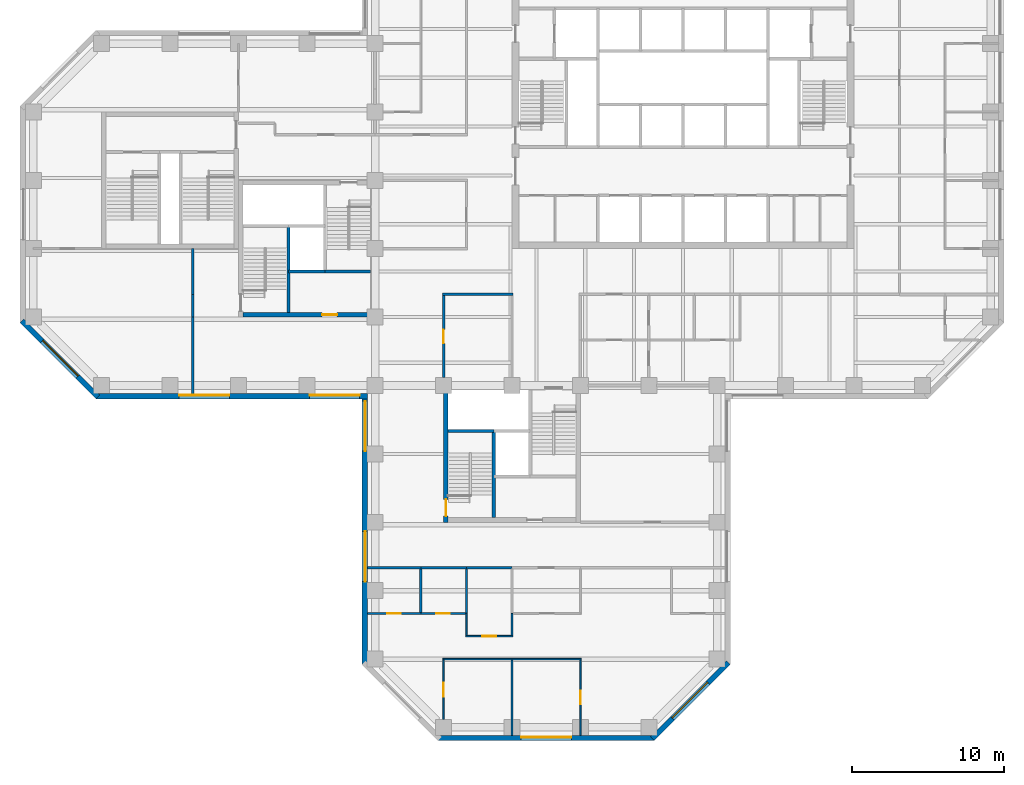
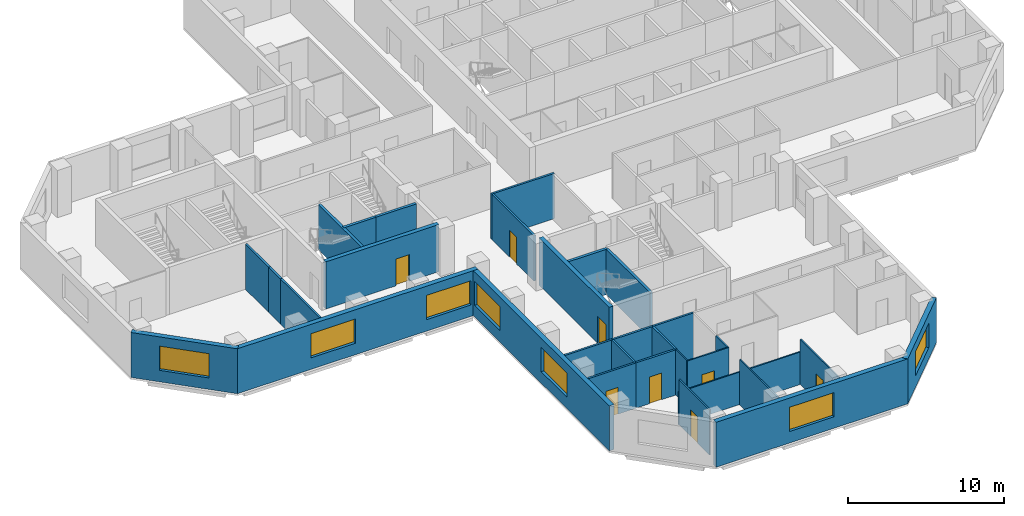
# One storey, part 3 of 10: 32 walls, 8 doors, 7 windows, 15 openings.
"""IFC4 building model written with IfcOpenShell, lengths in metres."""

from ifc_helpers import new_model, si_unit, direction, frame, frame_2d, origin, place, context, subcontext, project, spatial, rectangle, extrude, material, layer, layer_set, constituent, constituent_set, type_object, element, fill, save


model = new_model("IFC4")

# Units and contexts
model_context = context("Model", 3, precision=1e-05, world=origin(), true_north=direction((0.0, 1.0)))
body_context = subcontext(model_context, "Body", "Model", "MODEL_VIEW")
ifc_project = project(units=[si_unit("LENGTHUNIT", "METRE"), si_unit("AREAUNIT", "SQUARE_METRE"), si_unit("VOLUMEUNIT", "CUBIC_METRE"), si_unit("PLANEANGLEUNIT", "RADIAN"), si_unit("MASSUNIT", "GRAM", prefix="KILO")], contexts=[model_context])

# Site, building, storey
site_placement = place(None, origin())
site = spatial("IfcSite", under=ifc_project, at=site_placement, CompositionType="ELEMENT")
building_placement = place(site_placement, origin())
building = spatial("IfcBuilding", under=site, at=building_placement, Name="Quoin Convention Tower", CompositionType="ELEMENT")
storey_placement = place(building_placement, frame((0.0, 0.0, 86.300048828125)))
storey = spatial("IfcBuildingStorey", under=building, at=storey_placement, Name="L22", CompositionType="ELEMENT", Elevation=86.300048828125)

# Wall, opening, window
ifc_material_1 = material(Name="Brick masonry", Category="masonry")
ifc_layer_1 = layer(ifc_material_1, 0.35009765625)
ifc_layer_set_1 = layer_set([ifc_layer_1], Name="Brick masonry")
wall_type_1 = type_object("IfcWallType", Name="Brick facade wall", PredefinedType="STANDARD", material=ifc_layer_set_1)
wall_1_placement = place(storey_placement, frame((12.748779296875, 44.76123046875, 0.0), z_axis=(0.0, 0.0, 1.0), x_axis=(0.707106781187, -0.707106781187, 0.0)))
wall_1 = element("IfcWall", 1, at=wall_1_placement, inside=storey, type_object=wall_type_1, Name="fw-L22-13500_45000", PredefinedType="STANDARD", context=body_context, shape_type="SweptSolid", body=[
    extrude(rectangle(XDim=7.088623046875, YDim=0.35009765625, at=frame_2d((3.54443359375, 0.0))), origin(), (0.0, 0.0, 1.0), 3.52490234375),
])
opening_1_placement = place(wall_1_placement, frame((1.894287109375, 0.0, 0.89990234375)))
opening_1 = element("IfcOpeningElement", 2, at=opening_1_placement, cuts=wall_1, Name="Opening W-02", PredefinedType="OPENING", context=body_context, shape_type="SweptSolid", body=[
    extrude(rectangle(XDim=3.300048828125, YDim=1.89990234375, at=frame_2d((1.64990234375, 0.949951171875))), frame((0.0, 0.18505859375, 0.0), z_axis=(0.0, -1.0, 0.0), x_axis=(1.0, 0.0, 0.0)), (0.0, 0.0, 1.0), 0.3701171875),
])
ifc_material_2 = material(Name="Aluminium", Category="aluminium")
ifc_constituent_1 = constituent(ifc_material_2, Name="Frame")
ifc_material_3 = material(Name="Insulated glass", Category="glass")
ifc_constituent_2 = constituent(ifc_material_3, Name="Glazing")
ifc_constituent_set = constituent_set(constituents=[ifc_constituent_1, ifc_constituent_2], Name="Aluminium")
window_type = type_object("IfcWindowType", Name="Office window", PartitioningType="DOUBLE_PANEL_VERTICAL", PredefinedType="WINDOW", material=ifc_constituent_set)
window_1_placement = place(opening_1_placement, origin())
window_1 = element("IfcWindow", 3, at=window_1_placement, inside=storey, type_object=window_type, Name="win-L22-15255_42255", OverallHeight=1.89990234375, OverallWidth=3.300048828125, PartitioningType="SINGLE_PANEL", PredefinedType="WINDOW", context=body_context, shape_type="SweptSolid", body=[
    extrude(rectangle(XDim=3.300048828125, YDim=1.89990234375, at=frame_2d((1.64990234375, 0.949951171875))), frame((0.0, 0.0849609375, 0.0), z_axis=(0.0, -1.0, 0.0), x_axis=(1.0, 0.0, 0.0)), (0.0, 0.0, 1.0), 0.06005859375),
])
fill(opening_1, window_1)

# Wall, openings, windows
wall_2_placement = place(storey_placement, frame((17.6376953125, 39.800048828125, 0.0), z_axis=(0.0, 0.0, 1.0), x_axis=(1.0, 0.0, 0.0)))
wall_2 = element("IfcWall", 4, at=wall_2_placement, inside=storey, type_object=wall_type_1, Name="fw-L22-18000_40500", PredefinedType="STANDARD", context=body_context, shape_type="SweptSolid", body=[
    extrude(rectangle(XDim=17.83740234375, YDim=0.35009765625, at=frame_2d((8.918701171875, 0.0))), origin(), (0.0, 0.0, 1.0), 3.52490234375),
])
opening_2_placement = place(wall_2_placement, frame((5.46240234375, 0.0, 0.89990234375)))
opening_2 = element("IfcOpeningElement", 5, at=opening_2_placement, cuts=wall_2, Name="Opening W-02", PredefinedType="OPENING", context=body_context, shape_type="SweptSolid", body=[
    extrude(rectangle(XDim=3.300048828125, YDim=1.89990234375, at=frame_2d((1.64990234375, 0.949951171875))), frame((0.0, 0.18505859375, 0.0), z_axis=(0.0, -1.0, 0.0), x_axis=(1.0, 0.0, 0.0)), (0.0, 0.0, 1.0), 0.3701171875),
])
opening_3_placement = place(wall_2_placement, frame((14.037353515625, 0.0, 0.89990234375)))
opening_3 = element("IfcOpeningElement", 6, at=opening_3_placement, cuts=wall_2, Name="Opening W-02", PredefinedType="OPENING", context=body_context, shape_type="SweptSolid", body=[
    extrude(rectangle(XDim=3.300048828125, YDim=1.89990234375, at=frame_2d((1.64990234375, 0.949951171875))), frame((0.0, 0.18505859375, 0.0), z_axis=(0.0, -1.0, 0.0), x_axis=(1.0, 0.0, 0.0)), (0.0, 0.0, 1.0), 0.3701171875),
])
window_2_placement = place(opening_2_placement, origin())
window_2 = element("IfcWindow", 7, at=window_2_placement, inside=storey, type_object=window_type, Name="win-L22-24750_39800", OverallHeight=1.89990234375, OverallWidth=3.300048828125, PartitioningType="SINGLE_PANEL", PredefinedType="WINDOW", context=body_context, shape_type="SweptSolid", body=[
    extrude(rectangle(XDim=3.300048828125, YDim=1.89990234375, at=frame_2d((1.64990234375, 0.949951171875))), frame((0.0, 0.0849609375, 0.0), z_axis=(0.0, -1.0, 0.0), x_axis=(1.0, 0.0, 0.0)), (0.0, 0.0, 1.0), 0.06005859375),
])
fill(opening_2, window_2)
window_3_placement = place(opening_3_placement, origin())
window_3 = element("IfcWindow", 8, at=window_3_placement, inside=storey, type_object=window_type, Name="win-L22-33750_39800", OverallHeight=1.89990234375, OverallWidth=3.300048828125, PartitioningType="SINGLE_PANEL", PredefinedType="WINDOW", context=body_context, shape_type="SweptSolid", body=[
    extrude(rectangle(XDim=3.300048828125, YDim=1.89990234375, at=frame_2d((1.64990234375, 0.949951171875))), frame((0.0, 0.0849609375, 0.0), z_axis=(0.0, -1.0, 0.0), x_axis=(1.0, 0.0, 0.0)), (0.0, 0.0, 1.0), 0.06005859375),
])
fill(opening_3, window_3)

wall_3_placement = place(storey_placement, frame((35.300048828125, 39.97509765625, 0.0), z_axis=(0.0, 0.0, 1.0), x_axis=(0.0, -1.0, 0.0)))
wall_3 = element("IfcWall", 9, at=wall_3_placement, inside=storey, type_object=wall_type_1, Name="fw-L22-36000_40500", PredefinedType="STANDARD", context=body_context, shape_type="SweptSolid", body=[
    extrude(rectangle(XDim=17.83740234375, YDim=0.35009765625, at=frame_2d((8.918701171875, 0.0))), origin(), (0.0, 0.0, 1.0), 3.52490234375),
])
opening_4_placement = place(wall_3_placement, frame((0.5, 0.0, 0.89990234375)))
opening_4 = element("IfcOpeningElement", 10, at=opening_4_placement, cuts=wall_3, Name="Opening W-02", PredefinedType="OPENING", context=body_context, shape_type="SweptSolid", body=[
    extrude(rectangle(XDim=3.300048828125, YDim=1.89990234375, at=frame_2d((1.64990234375, 0.949951171875))), frame((0.0, 0.18505859375, 0.0), z_axis=(0.0, -1.0, 0.0), x_axis=(1.0, 0.0, 0.0)), (0.0, 0.0, 1.0), 0.3701171875),
])
opening_5_placement = place(wall_3_placement, frame((9.074951171875, 0.0, 0.89990234375)))
opening_5 = element("IfcOpeningElement", 11, at=opening_5_placement, cuts=wall_3, Name="Opening W-02", PredefinedType="OPENING", context=body_context, shape_type="SweptSolid", body=[
    extrude(rectangle(XDim=3.300048828125, YDim=1.89990234375, at=frame_2d((1.64990234375, 0.949951171875))), frame((0.0, 0.18505859375, 0.0), z_axis=(0.0, -1.0, 0.0), x_axis=(1.0, 0.0, 0.0)), (0.0, 0.0, 1.0), 0.3701171875),
])
window_4_placement = place(opening_4_placement, origin())
window_4 = element("IfcWindow", 12, at=window_4_placement, inside=storey, type_object=window_type, Name="win-L22-35300_38250", OverallHeight=1.89990234375, OverallWidth=3.300048828125, PartitioningType="SINGLE_PANEL", PredefinedType="WINDOW", context=body_context, shape_type="SweptSolid", body=[
    extrude(rectangle(XDim=3.300048828125, YDim=1.89990234375, at=frame_2d((1.64990234375, 0.949951171875))), frame((0.0, 0.0849609375, 0.0), z_axis=(0.0, -1.0, 0.0), x_axis=(1.0, 0.0, 0.0)), (0.0, 0.0, 1.0), 0.06005859375),
])
fill(opening_4, window_4)
window_5_placement = place(opening_5_placement, origin())
window_5 = element("IfcWindow", 13, at=window_5_placement, inside=storey, type_object=window_type, Name="win-L22-35300_29250", OverallHeight=1.89990234375, OverallWidth=3.300048828125, PartitioningType="SINGLE_PANEL", PredefinedType="WINDOW", context=body_context, shape_type="SweptSolid", body=[
    extrude(rectangle(XDim=3.300048828125, YDim=1.89990234375, at=frame_2d((1.64990234375, 0.949951171875))), frame((0.0, 0.0849609375, 0.0), z_axis=(0.0, -1.0, 0.0), x_axis=(1.0, 0.0, 0.0)), (0.0, 0.0, 1.0), 0.06005859375),
])
fill(opening_5, window_5)

# Wall, opening, window
wall_4_placement = place(storey_placement, frame((40.1376953125, 17.300048828125, 0.0), z_axis=(0.0, 0.0, 1.0), x_axis=(1.0, 0.0, 0.0)))
wall_4 = element("IfcWall", 14, at=wall_4_placement, inside=storey, type_object=wall_type_1, Name="fw-L22-40500_18000", PredefinedType="STANDARD", context=body_context, shape_type="SweptSolid", body=[
    extrude(rectangle(XDim=14.224609375, YDim=0.35009765625, at=frame_2d((7.1123046875, 0.0))), origin(), (0.0, 0.0, 1.0), 3.52490234375),
])
opening_6_placement = place(wall_4_placement, frame((5.46240234375, 0.0, 0.89990234375)))
opening_6 = element("IfcOpeningElement", 15, at=opening_6_placement, cuts=wall_4, Name="Opening W-02", PredefinedType="OPENING", context=body_context, shape_type="SweptSolid", body=[
    extrude(rectangle(XDim=3.300048828125, YDim=1.89990234375, at=frame_2d((1.64990234375, 0.949951171875))), frame((0.0, 0.18505859375, 0.0), z_axis=(0.0, -1.0, 0.0), x_axis=(1.0, 0.0, 0.0)), (0.0, 0.0, 1.0), 0.3701171875),
])
window_6_placement = place(opening_6_placement, origin())
window_6 = element("IfcWindow", 16, at=window_6_placement, inside=storey, type_object=window_type, Name="win-L22-47250_17300", OverallHeight=1.89990234375, OverallWidth=3.300048828125, PartitioningType="SINGLE_PANEL", PredefinedType="WINDOW", context=body_context, shape_type="SweptSolid", body=[
    extrude(rectangle(XDim=3.300048828125, YDim=1.89990234375, at=frame_2d((1.64990234375, 0.949951171875))), frame((0.0, 0.0849609375, 0.0), z_axis=(0.0, -1.0, 0.0), x_axis=(1.0, 0.0, 0.0)), (0.0, 0.0, 1.0), 0.06005859375),
])
fill(opening_6, window_6)

wall_5_placement = place(storey_placement, frame((54.23876953125, 17.248779296875, 0.0), z_axis=(0.0, 0.0, 1.0), x_axis=(0.707106781187, 0.707106781187, 0.0)))
wall_5 = element("IfcWall", 17, at=wall_5_placement, inside=storey, type_object=wall_type_1, Name="fw-L22-54000_18000", PredefinedType="STANDARD", context=body_context, shape_type="SweptSolid", body=[
    extrude(rectangle(XDim=7.088623046875, YDim=0.35009765625, at=frame_2d((3.54443359375, 0.0))), origin(), (0.0, 0.0, 1.0), 3.52490234375),
])
opening_7_placement = place(wall_5_placement, frame((1.894287109375, 0.0, 0.89990234375)))
opening_7 = element("IfcOpeningElement", 18, at=opening_7_placement, cuts=wall_5, Name="Opening W-02", PredefinedType="OPENING", context=body_context, shape_type="SweptSolid", body=[
    extrude(rectangle(XDim=3.300048828125, YDim=1.89990234375, at=frame_2d((1.64990234375, 0.949951171875))), frame((0.0, 0.18505859375, 0.0), z_axis=(0.0, -1.0, 0.0), x_axis=(1.0, 0.0, 0.0)), (0.0, 0.0, 1.0), 0.3701171875),
])
window_7_placement = place(opening_7_placement, origin())
window_7 = element("IfcWindow", 19, at=window_7_placement, inside=storey, type_object=window_type, Name="win-L22-56745_19755", OverallHeight=1.89990234375, OverallWidth=3.300048828125, PartitioningType="SINGLE_PANEL", PredefinedType="WINDOW", context=body_context, shape_type="SweptSolid", body=[
    extrude(rectangle(XDim=3.300048828125, YDim=1.89990234375, at=frame_2d((1.64990234375, 0.949951171875))), frame((0.0, 0.0849609375, 0.0), z_axis=(0.0, -1.0, 0.0), x_axis=(1.0, 0.0, 0.0)), (0.0, 0.0, 1.0), 0.06005859375),
])
fill(opening_7, window_7)

# Walls
ifc_material_4 = material(Name="Concrete C50", Category="concrete")
ifc_layer_2 = layer(ifc_material_4, 0.199951171875)
ifc_layer_set_2 = layer_set([ifc_layer_2], Name="Concrete C50")
wall_type_2 = type_object("IfcWallType", Name="Core shaft wall", PredefinedType="SOLIDWALL", material=ifc_layer_set_2)
wall_6_placement = place(storey_placement, frame((30.300048828125, 48.0, 0.0), z_axis=(0.0, 0.0, 1.0), x_axis=(1.0, 0.0, 0.0)))
element("IfcWall", 20, at=wall_6_placement, inside=storey, type_object=wall_type_2, Name="cr-P2-L22-h3000_3300", PredefinedType="SOLIDWALL", context=body_context, shape_type="SweptSolid", body=[
    extrude(rectangle(XDim=2.39990234375, YDim=0.199951171875, at=frame_2d((1.199951171875, 0.0))), origin(), (0.0, 0.0, 1.0), 3.550048828125),
])
wall_7_placement = place(storey_placement, frame((32.699951171875, 48.0, 0.0), z_axis=(0.0, 0.0, 1.0), x_axis=(1.0, 0.0, 0.0)))
element("IfcWall", 21, at=wall_7_placement, inside=storey, type_object=wall_type_2, Name="cr-P2-L22-h3000_5700", PredefinedType="SOLIDWALL", context=body_context, shape_type="SweptSolid", body=[
    extrude(rectangle(XDim=3.0, YDim=0.199951171875, at=frame_2d((1.5, 0.0))), origin(), (0.0, 0.0, 1.0), 3.550048828125),
])
wall_8_placement = place(storey_placement, frame((30.300048828125, 45.300048828125, 0.0), z_axis=(0.0, 0.0, 1.0), x_axis=(0.0, 1.0, 0.0)))
element("IfcWall", 22, at=wall_8_placement, inside=storey, type_object=wall_type_2, Name="cr-P2-L22-v3300_300", PredefinedType="SOLIDWALL", context=body_context, shape_type="SweptSolid", body=[
    extrude(rectangle(XDim=5.699951171875, YDim=0.199951171875, at=frame_2d((2.85009765625, 0.0))), origin(), (0.0, 0.0, 1.0), 3.550048828125),
])
wall_9_placement = place(storey_placement, frame((40.800048828125, 37.5, 0.0), z_axis=(0.0, 0.0, 1.0), x_axis=(1.0, 0.0, 0.0)))
element("IfcWall", 23, at=wall_9_placement, inside=storey, type_object=wall_type_2, Name="cr-P3-L22-h6000_300", PredefinedType="SOLIDWALL", context=body_context, shape_type="SweptSolid", body=[
    extrude(rectangle(XDim=3.0, YDim=0.199951171875, at=frame_2d((1.5, 0.0))), origin(), (0.0, 0.0, 1.0), 3.550048828125),
])
wall_10_placement = place(storey_placement, frame((43.800048828125, 31.800048828125, 0.0), z_axis=(0.0, 0.0, 1.0), x_axis=(0.0, 1.0, 0.0)))
element("IfcWall", 24, at=wall_10_placement, inside=storey, type_object=wall_type_2, Name="cr-P3-L22-v3300_300", PredefinedType="SOLIDWALL", context=body_context, shape_type="SweptSolid", body=[
    extrude(rectangle(XDim=5.699951171875, YDim=0.199951171875, at=frame_2d((2.85009765625, 0.0))), origin(), (0.0, 0.0, 1.0), 3.550048828125),
])
ifc_material_5 = material(Name="Plasterboard")
ifc_layer_3 = layer(ifc_material_5, 0.012451171875, Name="Finish")
ifc_material_6 = material(Name="Steel stud framing", Category="steel")
ifc_layer_4 = layer(ifc_material_6, 0.125, Name="Structure")
ifc_layer_5 = layer(ifc_material_5, 0.012451171875, Name="Finish")
ifc_layer_set_3 = layer_set([ifc_layer_3, ifc_layer_4, ifc_layer_5], Name="Steel stud framing")
wall_type_3 = type_object("IfcWallType", Name="Corridor wall 150", PredefinedType="PARTITIONING", material=ifc_layer_set_3)
wall_11_placement = place(storey_placement, frame((35.47509765625, 28.5, 0.0), z_axis=(0.0, 0.0, 1.0), x_axis=(1.0, 0.0, 0.0)))
element("IfcWall", 25, at=wall_11_placement, inside=storey, type_object=wall_type_3, Name="pw-L22-008", PredefinedType="PARTITIONING", context=body_context, shape_type="SweptSolid", body=[
    extrude(rectangle(XDim=3.52490234375, YDim=0.14990234375, at=frame_2d((1.762451171875, 0.0))), origin(), (0.0, 0.0, 1.0), 3.550048828125),
])
for number, where, z_axis, x_axis, name in (
    (26, (39.0, 28.5, 0.0), (0.0, 0.0, 1.0), (1.0, 0.0, 0.0), "pw-L22-009"),
    (27, (42.0, 28.5, 0.0), (0.0, 0.0, 1.0), (1.0, 0.0, 0.0), "pw-L22-010"),
):
    element("IfcWall", number, at=place(storey_placement, frame(where, z_axis=z_axis, x_axis=x_axis)), inside=storey, type_object=wall_type_3, Name=name, PredefinedType="PARTITIONING", context=body_context, shape_type="SweptSolid", body=[
        extrude(rectangle(XDim=3.0, YDim=0.14990234375, at=frame_2d((1.5, 0.0))), origin(), (0.0, 0.0, 1.0), 3.550048828125),
    ])
wall_12_placement = place(storey_placement, frame((40.425048828125, 46.5, 0.0), z_axis=(0.0, 0.0, 1.0), x_axis=(1.0, 0.0, 0.0)))
element("IfcWall", 28, at=wall_12_placement, inside=storey, type_object=wall_type_3, Name="pw-L22-024", PredefinedType="PARTITIONING", context=body_context, shape_type="SweptSolid", body=[
    extrude(rectangle(XDim=4.64990234375, YDim=0.14990234375, at=frame_2d((2.324951171875, 0.0))), origin(), (0.0, 0.0, 1.0), 3.550048828125),
])
wall_13_placement = place(storey_placement, frame((24.0, 39.97509765625, 0.0), z_axis=(0.0, 0.0, 1.0), x_axis=(0.0, 1.0, 0.0)))
element("IfcWall", 29, at=wall_13_placement, inside=storey, type_object=wall_type_3, Name="pw-L22-067", PredefinedType="PARTITIONING", context=body_context, shape_type="SweptSolid", body=[
    extrude(rectangle(XDim=5.02490234375, YDim=0.14990234375, at=frame_2d((2.512451171875, 0.0))), origin(), (0.0, 0.0, 1.0), 3.550048828125),
])

# Wall, opening, door
wall_14_placement = place(storey_placement, frame((40.5, 41.02490234375, 0.0), z_axis=(0.0, 0.0, 1.0), x_axis=(0.0, 1.0, 0.0)))
wall_14 = element("IfcWall", 30, at=wall_14_placement, inside=storey, type_object=wall_type_3, Name="pw-L22-068", PredefinedType="PARTITIONING", context=body_context, shape_type="SweptSolid", body=[
    extrude(rectangle(XDim=5.400146484375, YDim=0.14990234375, at=frame_2d((2.7001953125, 0.0))), origin(), (0.0, 0.0, 1.0), 3.550048828125),
])
opening_8_placement = place(wall_14_placement, frame((2.25, 0.0, 0.0)))
opening_8 = element("IfcOpeningElement", 31, at=opening_8_placement, cuts=wall_14, Name="Opening DOL2-21", PredefinedType="OPENING", context=body_context, shape_type="SweptSolid", body=[
    extrude(rectangle(XDim=0.89990234375, YDim=2.10009765625, at=frame_2d((0.449951171875, 1.050048828125))), frame((0.0, 0.0849609375, 0.0), z_axis=(0.0, -1.0, 0.0), x_axis=(1.0, 0.0, 0.0)), (0.0, 0.0, 1.0), 0.169921875),
])
ifc_material_7 = material(Name="Steel door leaf", Category="steel")
door_type_1 = type_object("IfcDoorType", Name="Office door 900 x 2100", OperationType="SINGLE_SWING_RIGHT", PredefinedType="DOOR", material=ifc_material_7)
door_1_placement = place(opening_8_placement, frame((0.89990234375, 0.0, 0.0), z_axis=(0.0, 0.0, 1.0), x_axis=(-1.0, 0.0, 0.0)))
door_1 = element("IfcDoor", 32, at=door_1_placement, inside=storey, type_object=door_type_1, Name="dr-L22-02", OperationType="SINGLE_SWING_LEFT", OverallHeight=2.10009765625, OverallWidth=0.89990234375, PredefinedType="DOOR", context=body_context, shape_type="SweptSolid", body=[
    extrude(rectangle(XDim=0.89990234375, YDim=2.10009765625, at=frame_2d((0.449951171875, 1.050048828125))), frame((0.0, 0.02490234375, 0.0), z_axis=(0.0, -1.0, 0.0), x_axis=(1.0, 0.0, 0.0)), (0.0, 0.0, 1.0), 0.050048828125),
])
fill(opening_8, door_1)

# Walls
wall_15_placement = place(storey_placement, frame((24.0, 45.0, 0.0), z_axis=(0.0, 0.0, 1.0), x_axis=(0.0, 1.0, 0.0)))
element("IfcWall", 33, at=wall_15_placement, inside=storey, type_object=wall_type_3, Name="pw-L22-077", PredefinedType="PARTITIONING", context=body_context, shape_type="SweptSolid", body=[
    extrude(rectangle(XDim=1.5, YDim=0.14990234375, at=frame_2d((0.75, 0.0))), origin(), (0.0, 0.0, 1.0), 3.550048828125),
])
wall_16_placement = place(storey_placement, frame((24.0, 46.5, 0.0), z_axis=(0.0, 0.0, 1.0), x_axis=(0.0, 1.0, 0.0)))
element("IfcWall", 34, at=wall_16_placement, inside=storey, type_object=wall_type_3, Name="pw-L22-079", PredefinedType="PARTITIONING", context=body_context, shape_type="SweptSolid", body=[
    extrude(rectangle(XDim=3.0, YDim=0.14990234375, at=frame_2d((1.5, 0.0))), origin(), (0.0, 0.0, 1.0), 3.550048828125),
])

# Wall, opening, door
ifc_material_8 = material(Name="Concrete C65", Category="concrete")
ifc_layer_6 = layer(ifc_material_8, 0.300048828125)
ifc_layer_set_4 = layer_set([ifc_layer_6], Name="Concrete C65")
wall_type_4 = type_object("IfcWallType", Name="RC CORE WALL 300 C65", PredefinedType="SHEAR", material=ifc_layer_set_4)
wall_17_placement = place(storey_placement, frame((27.300048828125, 45.14990234375, 0.0), z_axis=(0.0, 0.0, 1.0), x_axis=(1.0, 0.0, 0.0)))
wall_17 = element("IfcWall", 35, at=wall_17_placement, inside=storey, type_object=wall_type_4, Name="cwl-P2-L22-S", PredefinedType="SHEAR", context=body_context, shape_type="SweptSolid", body=[
    extrude(rectangle(XDim=8.39990234375, YDim=0.300048828125, at=frame_2d((4.199951171875, 0.0))), origin(), (0.0, 0.0, 1.0), 3.699951171875),
])
opening_9_placement = place(wall_17_placement, frame((5.199951171875, 0.0, 0.0)))
opening_9 = element("IfcOpeningElement", 36, at=opening_9_placement, cuts=wall_17, Name="Opening DCV2-41", PredefinedType="OPENING", context=body_context, shape_type="SweptSolid", body=[
    extrude(rectangle(XDim=1.0, YDim=2.10009765625, at=frame_2d((0.5, 1.050048828125))), frame((0.0, 0.159912109375, 0.0), z_axis=(0.0, -1.0, 0.0), x_axis=(1.0, 0.0, 0.0)), (0.0, 0.0, 1.0), 0.320068359375),
])
door_type_2 = type_object("IfcDoorType", Name="Service door 1000 x 2100", OperationType="SINGLE_SWING_LEFT", PredefinedType="DOOR", material=ifc_material_7)
door_2_placement = place(opening_9_placement, origin())
door_2 = element("IfcDoor", 37, at=door_2_placement, inside=storey, type_object=door_type_2, Name="cd-P2-L22-R2-S", OperationType="SINGLE_SWING_LEFT", OverallHeight=2.10009765625, OverallWidth=1.0, PredefinedType="DOOR", context=body_context, shape_type="SweptSolid", body=[
    extrude(rectangle(XDim=1.0, YDim=2.10009765625, at=frame_2d((0.5, 1.050048828125))), frame((0.0, 0.02490234375, 0.0), z_axis=(0.0, -1.0, 0.0), x_axis=(1.0, 0.0, 0.0)), (0.0, 0.0, 1.0), 0.050048828125),
])
fill(opening_9, door_2)

wall_18_placement = place(storey_placement, frame((40.64990234375, 31.5, 0.0), z_axis=(0.0, 0.0, 1.0), x_axis=(0.0, 1.0, 0.0)))
wall_18 = element("IfcWall", 38, at=wall_18_placement, inside=storey, type_object=wall_type_4, Name="cwl-P3-L22-W", PredefinedType="SHEAR", context=body_context, shape_type="SweptSolid", body=[
    extrude(rectangle(XDim=9.0, YDim=0.300048828125, at=frame_2d((4.5, 0.0))), origin(), (0.0, 0.0, 1.0), 3.699951171875),
])
opening_10_placement = place(wall_18_placement, frame((0.39990234375, 0.0, 0.0)))
opening_10 = element("IfcOpeningElement", 39, at=opening_10_placement, cuts=wall_18, Name="Opening SD5", PredefinedType="OPENING", context=body_context, shape_type="SweptSolid", body=[
    extrude(rectangle(XDim=1.10009765625, YDim=2.10009765625, at=frame_2d((0.550048828125, 1.050048828125))), frame((0.0, 0.159912109375, 0.0), z_axis=(0.0, -1.0, 0.0), x_axis=(1.0, 0.0, 0.0)), (0.0, 0.0, 1.0), 0.320068359375),
])
door_type_3 = type_object("IfcDoorType", Name="Stair door 1100 x 2100", OperationType="SINGLE_SWING_RIGHT", PredefinedType="DOOR", material=ifc_material_7)
door_3_placement = place(opening_10_placement, frame((1.10009765625, 0.0, 0.0), z_axis=(0.0, 0.0, 1.0), x_axis=(-1.0, 0.0, 0.0)))
door_3 = element("IfcDoor", 40, at=door_3_placement, inside=storey, type_object=door_type_3, Name="cd-P3-L22-SA-W", OperationType="SINGLE_SWING_RIGHT", OverallHeight=2.10009765625, OverallWidth=1.10009765625, PredefinedType="DOOR", context=body_context, shape_type="SweptSolid", body=[
    extrude(rectangle(XDim=1.10009765625, YDim=2.10009765625, at=frame_2d((0.550048828125, 1.050048828125))), frame((0.0, 0.02490234375, 0.0), z_axis=(0.0, -1.0, 0.0), x_axis=(1.0, 0.0, 0.0)), (0.0, 0.0, 1.0), 0.050048828125),
])
fill(opening_10, door_3)

ifc_layer_7 = layer(ifc_material_5, 0.012451171875, Name="Finish")
ifc_layer_8 = layer(ifc_material_6, 0.074951171875, Name="Structure")
ifc_layer_9 = layer(ifc_material_5, 0.012451171875, Name="Finish")
ifc_layer_set_5 = layer_set([ifc_layer_7, ifc_layer_8, ifc_layer_9], Name="Steel stud framing")
wall_type_5 = type_object("IfcWallType", Name="Stud partition 100", PredefinedType="PARTITIONING", material=ifc_layer_set_5)
wall_19_placement = place(storey_placement, frame((41.949951171875, 24.0, 0.0), z_axis=(0.0, 0.0, 1.0), x_axis=(1.0, 0.0, 0.0)))
wall_19 = element("IfcWall", 41, at=wall_19_placement, inside=storey, type_object=wall_type_5, Name="pw-L22-003", PredefinedType="PARTITIONING", context=body_context, shape_type="SweptSolid", body=[
    extrude(rectangle(XDim=3.10009765625, YDim=0.10009765625, at=frame_2d((1.550048828125, 0.0))), origin(), (0.0, 0.0, 1.0), 3.550048828125),
])
opening_11_placement = place(wall_19_placement, frame((1.10009765625, 0.0, 0.0)))
opening_11 = element("IfcOpeningElement", 42, at=opening_11_placement, cuts=wall_19, Name="Opening DOL2-01", PredefinedType="OPENING", context=body_context, shape_type="SweptSolid", body=[
    extrude(rectangle(XDim=0.89990234375, YDim=2.10009765625, at=frame_2d((0.449951171875, 1.050048828125))), frame((0.0, 0.06005859375, 0.0), z_axis=(0.0, -1.0, 0.0), x_axis=(1.0, 0.0, 0.0)), (0.0, 0.0, 1.0), 0.1201171875),
])
door_4_placement = place(opening_11_placement, frame((0.89990234375, 0.0, 0.0), z_axis=(0.0, 0.0, 1.0), x_axis=(-1.0, 0.0, 0.0)))
door_4 = element("IfcDoor", 43, at=door_4_placement, inside=storey, type_object=door_type_1, Name="dr-L22-18", OperationType="SINGLE_SWING_LEFT", OverallHeight=2.10009765625, OverallWidth=0.89990234375, PredefinedType="DOOR", context=body_context, shape_type="SweptSolid", body=[
    extrude(rectangle(XDim=0.89990234375, YDim=2.10009765625, at=frame_2d((0.449951171875, 1.050048828125))), frame((0.0, 0.02490234375, 0.0), z_axis=(0.0, -1.0, 0.0), x_axis=(1.0, 0.0, 0.0)), (0.0, 0.0, 1.0), 0.050048828125),
])
fill(opening_11, door_4)

# Wall
wall_20_placement = place(storey_placement, frame((45.0, 17.47509765625, 0.0), z_axis=(0.0, 0.0, 1.0), x_axis=(0.0, 1.0, 0.0)))
element("IfcWall", 44, at=wall_20_placement, inside=storey, type_object=wall_type_5, Name="pw-L22-057", PredefinedType="PARTITIONING", context=body_context, shape_type="SweptSolid", body=[
    extrude(rectangle(XDim=4.974853515625, YDim=0.10009765625, at=frame_2d((2.4873046875, 0.0))), origin(), (0.0, 0.0, 1.0), 3.550048828125),
])

# Wall, opening, door
wall_21_placement = place(storey_placement, frame((49.5, 17.47509765625, 0.0), z_axis=(0.0, 0.0, 1.0), x_axis=(0.0, 1.0, 0.0)))
wall_21 = element("IfcWall", 45, at=wall_21_placement, inside=storey, type_object=wall_type_5, Name="pw-L22-058", PredefinedType="PARTITIONING", context=body_context, shape_type="SweptSolid", body=[
    extrude(rectangle(XDim=4.974853515625, YDim=0.10009765625, at=frame_2d((2.4873046875, 0.0))), origin(), (0.0, 0.0, 1.0), 3.550048828125),
])
opening_12_placement = place(wall_21_placement, frame((2.050048828125, 0.0, 0.0)))
opening_12 = element("IfcOpeningElement", 46, at=opening_12_placement, cuts=wall_21, Name="Opening DOL2-19", PredefinedType="OPENING", context=body_context, shape_type="SweptSolid", body=[
    extrude(rectangle(XDim=0.89990234375, YDim=2.10009765625, at=frame_2d((0.449951171875, 1.050048828125))), frame((0.0, 0.06005859375, 0.0), z_axis=(0.0, -1.0, 0.0), x_axis=(1.0, 0.0, 0.0)), (0.0, 0.0, 1.0), 0.1201171875),
])
door_5_placement = place(opening_12_placement, frame((0.89990234375, 0.0, 0.0), z_axis=(0.0, 0.0, 1.0), x_axis=(-1.0, 0.0, 0.0)))
door_5 = element("IfcDoor", 47, at=door_5_placement, inside=storey, type_object=door_type_1, Name="dr-L22-16", OperationType="SINGLE_SWING_LEFT", OverallHeight=2.10009765625, OverallWidth=0.89990234375, PredefinedType="DOOR", context=body_context, shape_type="SweptSolid", body=[
    extrude(rectangle(XDim=0.89990234375, YDim=2.10009765625, at=frame_2d((0.449951171875, 1.050048828125))), frame((0.0, 0.02490234375, 0.0), z_axis=(0.0, -1.0, 0.0), x_axis=(1.0, 0.0, 0.0)), (0.0, 0.0, 1.0), 0.050048828125),
])
fill(opening_12, door_5)

wall_22_placement = place(storey_placement, frame((40.5, 18.52490234375, 0.0), z_axis=(0.0, 0.0, 1.0), x_axis=(0.0, 1.0, 0.0)))
wall_22 = element("IfcWall", 48, at=wall_22_placement, inside=storey, type_object=wall_type_5, Name="pw-L22-059", PredefinedType="PARTITIONING", context=body_context, shape_type="SweptSolid", body=[
    extrude(rectangle(XDim=3.925048828125, YDim=0.10009765625, at=frame_2d((1.96240234375, 0.0))), origin(), (0.0, 0.0, 1.0), 3.550048828125),
])
opening_13_placement = place(wall_22_placement, frame((1.5, 0.0, 0.0)))
opening_13 = element("IfcOpeningElement", 49, at=opening_13_placement, cuts=wall_22, Name="Opening DOL2-20", PredefinedType="OPENING", context=body_context, shape_type="SweptSolid", body=[
    extrude(rectangle(XDim=0.89990234375, YDim=2.10009765625, at=frame_2d((0.449951171875, 1.050048828125))), frame((0.0, 0.06005859375, 0.0), z_axis=(0.0, -1.0, 0.0), x_axis=(1.0, 0.0, 0.0)), (0.0, 0.0, 1.0), 0.1201171875),
])
door_6_placement = place(opening_13_placement, origin())
door_6 = element("IfcDoor", 50, at=door_6_placement, inside=storey, type_object=door_type_1, Name="dr-L22-15", OperationType="SINGLE_SWING_RIGHT", OverallHeight=2.10009765625, OverallWidth=0.89990234375, PredefinedType="DOOR", context=body_context, shape_type="SweptSolid", body=[
    extrude(rectangle(XDim=0.89990234375, YDim=2.10009765625, at=frame_2d((0.449951171875, 1.050048828125))), frame((0.0, 0.02490234375, 0.0), z_axis=(0.0, -1.0, 0.0), x_axis=(1.0, 0.0, 0.0)), (0.0, 0.0, 1.0), 0.050048828125),
])
fill(opening_13, door_6)

# Walls
for number, where, z_axis, x_axis, name in (
    (51, (42.0, 24.050048828125, 0.0), (0.0, 0.0, 1.0), (0.0, 1.0, 0.0), "pw-L22-060"),
    (52, (45.0, 24.050048828125, 0.0), (0.0, 0.0, 1.0), (0.0, 1.0, 0.0), "pw-L22-061"),
):
    element("IfcWall", number, at=place(storey_placement, frame(where, z_axis=z_axis, x_axis=x_axis)), inside=storey, type_object=wall_type_5, Name=name, PredefinedType="PARTITIONING", context=body_context, shape_type="SweptSolid", body=[
        extrude(rectangle(XDim=1.449951171875, YDim=0.10009765625, at=frame_2d((0.72509765625, 0.0))), origin(), (0.0, 0.0, 1.0), 3.550048828125),
    ])
ifc_layer_10 = layer(ifc_material_5, 0.012451171875, Name="Finish")
ifc_layer_11 = layer(ifc_material_6, 0.074951171875, Name="Structure")
ifc_layer_12 = layer(ifc_material_5, 0.012451171875, Name="Finish")
ifc_layer_set_6 = layer_set([ifc_layer_10, ifc_layer_11, ifc_layer_12], Name="Steel stud framing")
wall_type_6 = type_object("IfcWallType", Name="Stud partition 100 under beam 1000", PredefinedType="PARTITIONING", material=ifc_layer_set_6)
for number, where, z_axis, x_axis, name in (
    (53, (40.449951171875, 22.5, 0.0), (0.0, 0.0, 1.0), (1.0, 0.0, 0.0), "pw-L22-001"),
    (54, (45.0, 22.5, 0.0), (0.0, 0.0, 1.0), (1.0, 0.0, 0.0), "pw-L22-002"),
):
    element("IfcWall", number, at=place(storey_placement, frame(where, z_axis=z_axis, x_axis=x_axis)), inside=storey, type_object=wall_type_6, Name=name, PredefinedType="PARTITIONING", context=body_context, shape_type="SweptSolid", body=[
        extrude(rectangle(XDim=4.550048828125, YDim=0.10009765625, at=frame_2d((2.27490234375, 0.0))), origin(), (0.0, 0.0, 1.0), 2.550048828125),
    ])

# Wall, opening, door
ifc_layer_13 = layer(ifc_material_5, 0.012451171875, Name="Finish")
ifc_layer_14 = layer(ifc_material_6, 0.125, Name="Structure")
ifc_layer_15 = layer(ifc_material_5, 0.012451171875, Name="Finish")
ifc_layer_set_7 = layer_set([ifc_layer_13, ifc_layer_14, ifc_layer_15], Name="Steel stud framing")
wall_type_7 = type_object("IfcWallType", Name="Wet area partition 150", PredefinedType="PARTITIONING", material=ifc_layer_set_7)
wall_23_placement = place(storey_placement, frame((35.47509765625, 25.5, 0.0), z_axis=(0.0, 0.0, 1.0), x_axis=(1.0, 0.0, 0.0)))
wall_23 = element("IfcWall", 55, at=wall_23_placement, inside=storey, type_object=wall_type_7, Name="pw-L22-004", PredefinedType="PARTITIONING", context=body_context, shape_type="SweptSolid", body=[
    extrude(rectangle(XDim=3.52490234375, YDim=0.14990234375, at=frame_2d((1.762451171875, 0.0))), origin(), (0.0, 0.0, 1.0), 3.550048828125),
])
opening_14_placement = place(wall_23_placement, frame((1.300048828125, 0.0, 0.0)))
opening_14 = element("IfcOpeningElement", 56, at=opening_14_placement, cuts=wall_23, Name="Opening DOL2-02", PredefinedType="OPENING", context=body_context, shape_type="SweptSolid", body=[
    extrude(rectangle(XDim=0.89990234375, YDim=2.10009765625, at=frame_2d((0.449951171875, 1.050048828125))), frame((0.0, 0.0849609375, 0.0), z_axis=(0.0, -1.0, 0.0), x_axis=(1.0, 0.0, 0.0)), (0.0, 0.0, 1.0), 0.169921875),
])
door_7_placement = place(opening_14_placement, frame((0.89990234375, 0.0, 0.0), z_axis=(0.0, 0.0, 1.0), x_axis=(-1.0, 0.0, 0.0)))
door_7 = element("IfcDoor", 57, at=door_7_placement, inside=storey, type_object=door_type_1, Name="dr-L22-19", OperationType="SINGLE_SWING_LEFT", OverallHeight=2.10009765625, OverallWidth=0.89990234375, PredefinedType="DOOR", context=body_context, shape_type="SweptSolid", body=[
    extrude(rectangle(XDim=0.89990234375, YDim=2.10009765625, at=frame_2d((0.449951171875, 1.050048828125))), frame((0.0, 0.02490234375, 0.0), z_axis=(0.0, -1.0, 0.0), x_axis=(1.0, 0.0, 0.0)), (0.0, 0.0, 1.0), 0.050048828125),
])
fill(opening_14, door_7)

wall_24_placement = place(storey_placement, frame((39.0, 25.5, 0.0), z_axis=(0.0, 0.0, 1.0), x_axis=(1.0, 0.0, 0.0)))
wall_24 = element("IfcWall", 58, at=wall_24_placement, inside=storey, type_object=wall_type_7, Name="pw-L22-005", PredefinedType="PARTITIONING", context=body_context, shape_type="SweptSolid", body=[
    extrude(rectangle(XDim=2.925048828125, YDim=0.14990234375, at=frame_2d((1.46240234375, 0.0))), origin(), (0.0, 0.0, 1.0), 3.550048828125),
])
opening_15_placement = place(wall_24_placement, frame((1.0, 0.0, 0.0)))
opening_15 = element("IfcOpeningElement", 59, at=opening_15_placement, cuts=wall_24, Name="Opening DOL2-03", PredefinedType="OPENING", context=body_context, shape_type="SweptSolid", body=[
    extrude(rectangle(XDim=0.89990234375, YDim=2.10009765625, at=frame_2d((0.449951171875, 1.050048828125))), frame((0.0, 0.0849609375, 0.0), z_axis=(0.0, -1.0, 0.0), x_axis=(1.0, 0.0, 0.0)), (0.0, 0.0, 1.0), 0.169921875),
])
door_8_placement = place(opening_15_placement, frame((0.89990234375, 0.0, 0.0), z_axis=(0.0, 0.0, 1.0), x_axis=(-1.0, 0.0, 0.0)))
door_8 = element("IfcDoor", 60, at=door_8_placement, inside=storey, type_object=door_type_1, Name="dr-L22-14", OperationType="SINGLE_SWING_LEFT", OverallHeight=2.10009765625, OverallWidth=0.89990234375, PredefinedType="DOOR", context=body_context, shape_type="SweptSolid", body=[
    extrude(rectangle(XDim=0.89990234375, YDim=2.10009765625, at=frame_2d((0.449951171875, 1.050048828125))), frame((0.0, 0.02490234375, 0.0), z_axis=(0.0, -1.0, 0.0), x_axis=(1.0, 0.0, 0.0)), (0.0, 0.0, 1.0), 0.050048828125),
])
fill(opening_15, door_8)

# Walls
wall_25_placement = place(storey_placement, frame((42.0, 25.5, 0.0), z_axis=(0.0, 0.0, 1.0), x_axis=(0.0, 1.0, 0.0)))
element("IfcWall", 61, at=wall_25_placement, inside=storey, type_object=wall_type_7, Name="pw-L22-062", PredefinedType="PARTITIONING", context=body_context, shape_type="SweptSolid", body=[
    extrude(rectangle(XDim=2.925048828125, YDim=0.14990234375, at=frame_2d((1.46240234375, 0.0))), origin(), (0.0, 0.0, 1.0), 3.550048828125),
])
wall_26_placement = place(storey_placement, frame((39.0, 25.574951171875, 0.0), z_axis=(0.0, 0.0, 1.0), x_axis=(0.0, 1.0, 0.0)))
element("IfcWall", 62, at=wall_26_placement, inside=storey, type_object=wall_type_7, Name="pw-L22-065", PredefinedType="PARTITIONING", context=body_context, shape_type="SweptSolid", body=[
    extrude(rectangle(XDim=2.85009765625, YDim=0.14990234375, at=frame_2d((1.425048828125, 0.0))), origin(), (0.0, 0.0, 1.0), 3.550048828125),
])

save(model, "model.ifc")
